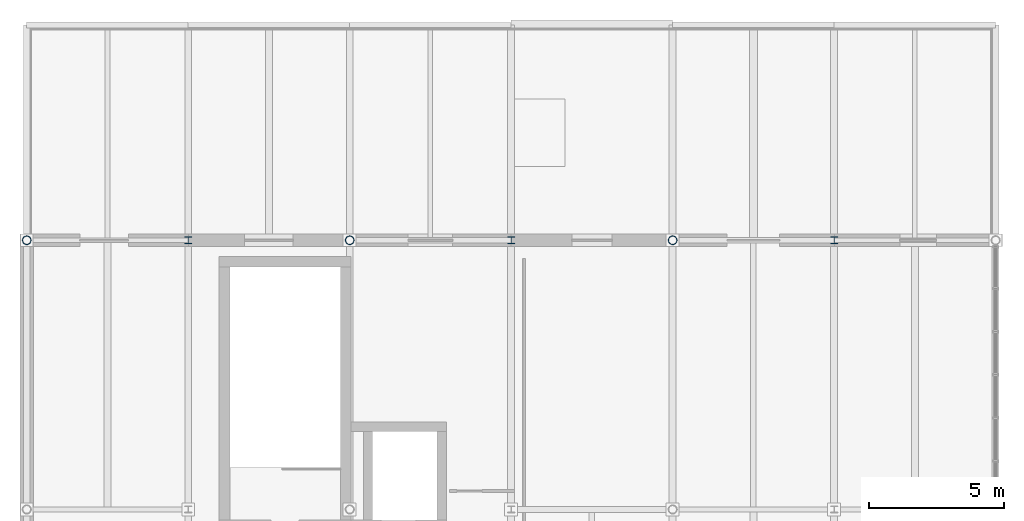
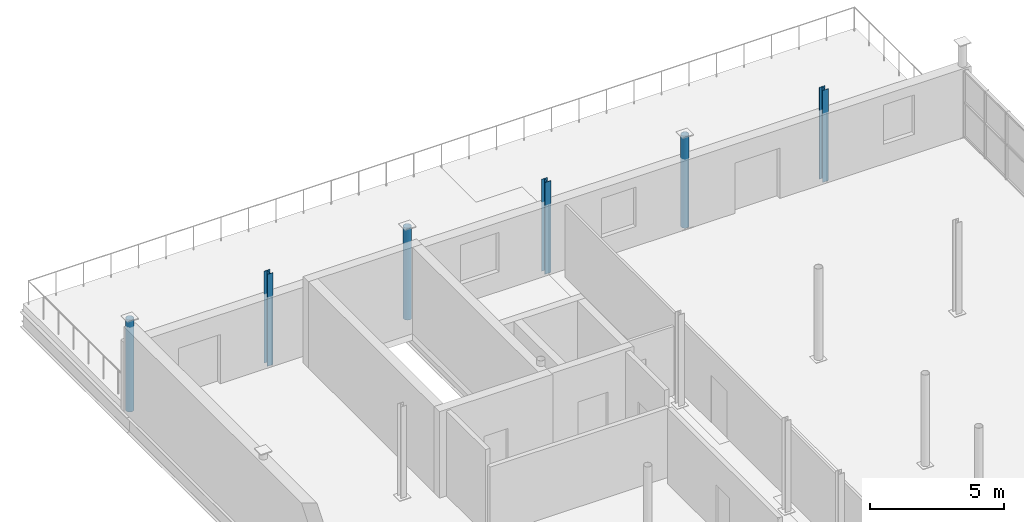
# One storey, part 9 of 30: 6 columns.
"""IFC4 building model written with IfcOpenShell, lengths in metres."""

from ifc_helpers import new_model, si_unit, direction, frame, origin, origin_2d, place, context, subcontext, project, spatial, hollow_circle, i_section, extrude, material, material_profile, profile_set, type_object, element, save


model = new_model("IFC4")

# Units and contexts
model_context = context("Model", 3, precision=1e-05, world=origin(), true_north=direction((0.0, 1.0)))
body_context = subcontext(model_context, "Body", "Model", "MODEL_VIEW")
ifc_project = project(units=[si_unit("LENGTHUNIT", "METRE"), si_unit("AREAUNIT", "SQUARE_METRE"), si_unit("VOLUMEUNIT", "CUBIC_METRE"), si_unit("PLANEANGLEUNIT", "RADIAN"), si_unit("MASSUNIT", "GRAM", prefix="KILO")], contexts=[model_context])

# Site, building, storey
site_placement = place(None, origin())
site = spatial("IfcSite", under=ifc_project, at=site_placement, CompositionType="ELEMENT")
building_placement = place(site_placement, origin())
building = spatial("IfcBuilding", under=site, at=building_placement, Name="Verrall Gate Interchange", CompositionType="ELEMENT")
storey_placement = place(building_placement, frame((0.0, 0.0, 19.39990234375)))
storey = spatial("IfcBuildingStorey", under=building, at=storey_placement, Name="L05", CompositionType="ELEMENT", Elevation=19.39990234375)

# Columns
ifc_material_1 = material(Name="Structural Steel CSA G40.21 350W", Category="steel")
ifc_material_profile_1 = material_profile(ifc_material_1, i_section(OverallWidth=0.25390625, OverallDepth=0.2529296875, WebThickness=0.008544921875, FlangeThickness=0.01416015625, FilletRadius=0.011962890625, at=origin_2d()), Name="W250x73")
ifc_profile_set_1 = profile_set([ifc_material_profile_1], Name="Structural Steel CSA G40.21 350W")
column_type_1 = type_object("IfcColumnType", Name="C-11 Column W250x73", PredefinedType="COLUMN", material=ifc_profile_set_1)
for number, where, z_axis, x_axis, name in (
    (1, (6.0, 66.0, 0.0), (0.0, 0.0, 1.0), (1.0, 0.0, 0.0), "L05 Column COL-L05-0230 (C-11)"),
    (2, (18.0, 66.0, 0.0), (0.0, 0.0, 1.0), (1.0, 0.0, 0.0), "L05 Column COL-L05-0464 (C-11)"),
    (3, (30.0, 66.0, 0.0), (0.0, 0.0, 1.0), (1.0, 0.0, 0.0), "L05 Column COL-L05-0698 (C-11)"),
):
    element("IfcColumn", number, at=place(storey_placement, frame(where, z_axis=z_axis, x_axis=x_axis)), inside=storey, type_object=column_type_1, Name=name, PredefinedType="COLUMN", context=body_context, shape_type="SweptSolid", body=[
        extrude(i_section(OverallWidth=0.25390625, OverallDepth=0.2529296875, WebThickness=0.008544921875, FlangeThickness=0.01416015625, FilletRadius=0.011962890625, at=origin_2d()), origin(), (0.0, 0.0, 1.0), 4.2001953125),
    ])
ifc_material_2 = material(Name="Structural Steel CSA G40.21 350WT Cat 4", Category="steel")
ifc_material_profile_2 = material_profile(ifc_material_2, hollow_circle(Radius=0.161865234375, WallThickness=0.0126953125, at=origin_2d()), Name="HSS324x13")
ifc_profile_set_2 = profile_set([ifc_material_profile_2], Name="Structural Steel CSA G40.21 350WT Cat 4")
column_type_2 = type_object("IfcColumnType", Name="C-15 Column HSS324x13", PredefinedType="COLUMN", material=ifc_profile_set_2)
for number, where, z_axis, x_axis, name in (
    (4, (0.0, 66.0, 0.0), (0.0, 0.0, 1.0), (1.0, 0.0, 0.0), "L05 Column COL-L05-0085 (C-15)"),
    (5, (12.0, 66.0, 0.0), (0.0, 0.0, 1.0), (1.0, 0.0, 0.0), "L05 Column COL-L05-0347 (C-15)"),
    (6, (24.0, 66.0, 0.0), (0.0, 0.0, 1.0), (1.0, 0.0, 0.0), "L05 Column COL-L05-0581 (C-15)"),
):
    element("IfcColumn", number, at=place(storey_placement, frame(where, z_axis=z_axis, x_axis=x_axis)), inside=storey, type_object=column_type_2, Name=name, PredefinedType="COLUMN", context=body_context, shape_type="SweptSolid", body=[
        extrude(hollow_circle(Radius=0.161865234375, WallThickness=0.0126953125, at=origin_2d()), origin(), (0.0, 0.0, 1.0), 4.2001953125),
    ])

save(model, "model.ifc")
